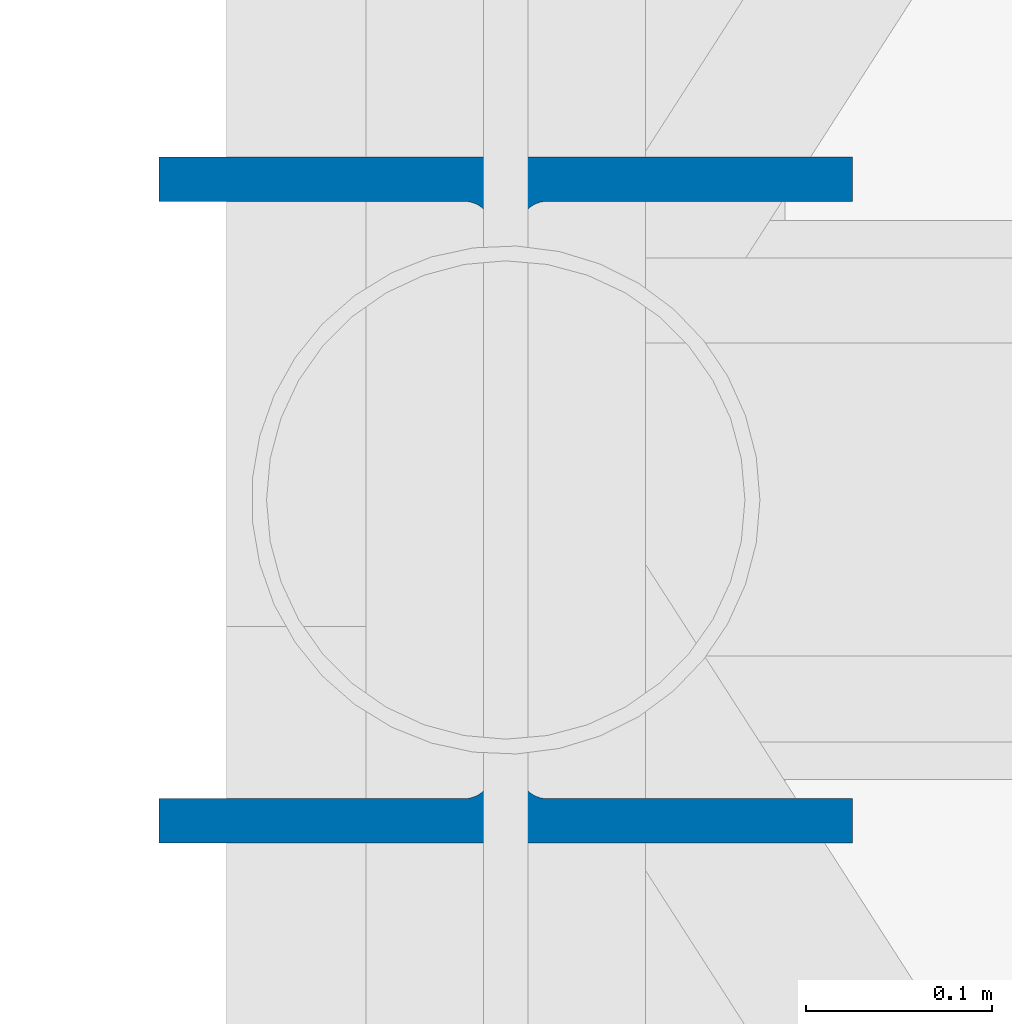
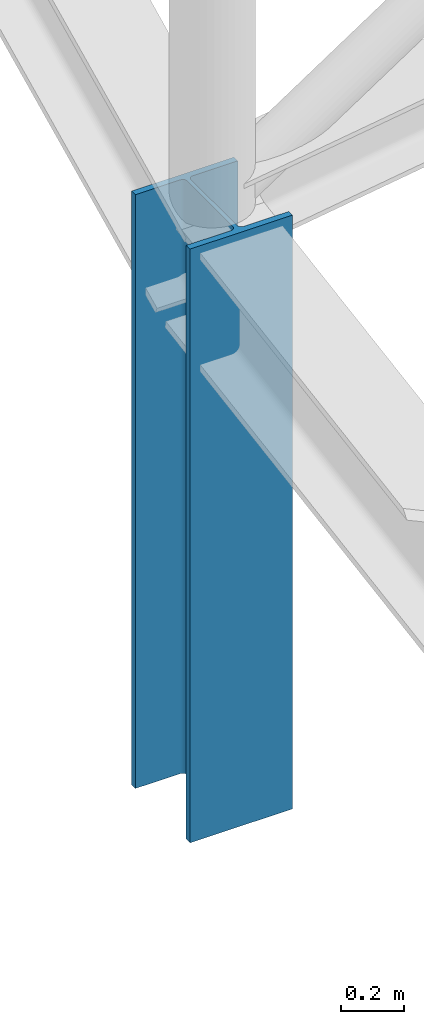
# One storey, part 9 of 262: 1 column.
"""IFC4 building model written with IfcOpenShell, lengths in metres."""

import ifcopenshell
import ifcopenshell.guid

model = None  # the IFC model being written
_history = None  # IfcOwnerHistory: only IFC2X3 demands one
_inside = {}  # id of a spatial element -> (the spatial element, [elements in it])
_under = {}  # id of a project, library or spatial element -> (it, [spatial elements below it])
_declared = {}  # id of a project -> (the project, [libraries it declares])
_typed = {}  # id of a type object -> (the type object, [elements of that type])
_made_of = {}  # id of a material, layer set ... -> (it, [elements and type objects made of it])


def new_model(schema):
    """Start an empty IFC model of exactly this schema.

    Asked for "IFC4X3", IfcOpenShell would pick the latest addendum, in which some entities
    have other attributes; the version numbers below select the first issue.
    IFC2X3 requires an IfcOwnerHistory on every rooted entity: one is made here for all.
    """
    global model, _history
    if schema == "IFC4X3":
        model = ifcopenshell.file(schema_version=(4, 3, 0, 0))
    else:
        model = ifcopenshell.file(schema=schema)
    _inside.clear()
    _under.clear()
    _declared.clear()
    _typed.clear()
    _made_of.clear()
    _history = None
    if model.schema == "IFC2X3":
        org = make("IfcOrganization", Name="unknown")
        user = make(
            "IfcPersonAndOrganization",
            ThePerson=make("IfcPerson", FamilyName="unknown"),
            TheOrganization=org,
        )
        app = make(
            "IfcApplication",
            ApplicationDeveloper=org,
            Version="unknown",
            ApplicationFullName="unknown",
            ApplicationIdentifier="unknown",
        )
        _history = make(
            "IfcOwnerHistory",
            OwningUser=user,
            OwningApplication=app,
            ChangeAction="ADDED",
            CreationDate=0,
        )
    return model


def make(cls, **values):
    """One entity of the class cls with the attributes given. An attribute that is None is left unset."""
    return model.create_entity(
        cls, **{name: value for name, value in values.items() if value is not None}
    )


def rooted(cls, **values):
    """An entity with a GlobalId (a new one), such as an element, a storey or a relation."""
    return make(cls, GlobalId=ifcopenshell.guid.new(), OwnerHistory=_history, **values)


def si_unit(unit_type, name, prefix=None):
    """IfcSIUnit, for example si_unit("LENGTHUNIT", "METRE", prefix="MILLI")."""
    return make("IfcSIUnit", UnitType=unit_type, Prefix=prefix, Name=name)


def derived_unit(unit_type, elements):
    """IfcDerivedUnit: a product of units, each with its exponent."""
    return make(
        "IfcDerivedUnit",
        Elements=[
            make("IfcDerivedUnitElement", Unit=unit, Exponent=power)
            for unit, power in elements
        ],
        UnitType=unit_type,
    )


def assignment(units):
    """IfcUnitAssignment: the units of a project."""
    return None if units is None else make("IfcUnitAssignment", Units=units)


def point(xyz):
    """IfcCartesianPoint."""
    return None if xyz is None else make("IfcCartesianPoint", Coordinates=xyz)


def direction(xyz):
    """IfcDirection."""
    return None if xyz is None else make("IfcDirection", DirectionRatios=xyz)


def frame(location, z_axis=None, x_axis=None):
    """IfcAxis2Placement3D, a coordinate frame: its origin and axes. An axis left out is left unset."""
    return make(
        "IfcAxis2Placement3D",
        Location=point(location),
        Axis=direction(z_axis),
        RefDirection=direction(x_axis),
    )


def frame_2d(location, x_axis=None):
    """IfcAxis2Placement2D, a coordinate frame in the plane: its origin and x axis."""
    return make(
        "IfcAxis2Placement2D", Location=point(location), RefDirection=direction(x_axis)
    )


def origin():
    """The frame at (0, 0, 0) with its axes left unset."""
    return frame((0.0, 0.0, 0.0))


def origin_2d():
    """The frame at (0, 0) in the plane with its x axis left unset."""
    return frame_2d((0.0, 0.0))


def place(relative_to, where):
    """IfcLocalPlacement: puts the frame where relative to a parent placement (None: the world)."""
    return make(
        "IfcLocalPlacement", PlacementRelTo=relative_to, RelativePlacement=where
    )


def context(
    kind, dimensions, precision=None, world=None, true_north=None, identifier=None
):
    """IfcGeometricRepresentationContext, for example the 3D "Model" context."""
    return make(
        "IfcGeometricRepresentationContext",
        ContextIdentifier=identifier,
        ContextType=kind,
        CoordinateSpaceDimension=dimensions,
        Precision=precision,
        WorldCoordinateSystem=world,
        TrueNorth=true_north,
    )


def subcontext(parent, identifier, kind, view, scale=None):
    """IfcGeometricRepresentationSubContext, for example "Body" below "Model"."""
    return make(
        "IfcGeometricRepresentationSubContext",
        ContextIdentifier=identifier,
        ContextType=kind,
        ParentContext=parent,
        TargetScale=scale,
        TargetView=view,
    )


def project(units=None, contexts=None):
    """IfcProject with its units and contexts."""
    return rooted(
        "IfcProject",
        Name="project",
        RepresentationContexts=contexts,
        UnitsInContext=assignment(units),
    )


def spatial(cls, under=None, at=None, **own):
    """A site, building, storey or space (cls), placed at a placement, below another one or the project."""
    s = rooted(cls, ObjectPlacement=at, **own)
    if under is not None:
        _under.setdefault(under.id(), (under, []))[1].append(s)
    return s


def profile(cls, at=None, kind="AREA", **sizes):
    """A parametric profile (cls). Its sizes go by their IFC names, for example OverallWidth=200.0."""
    return make(cls, ProfileType=kind, Position=at, **sizes)


def i_section(**sizes):
    """IfcIShapeProfileDef."""
    return profile("IfcIShapeProfileDef", **sizes)


def extrude(swept, where, along, depth):
    """IfcExtrudedAreaSolid: the profile swept, set in the frame where, extruded along a direction by depth."""
    return make(
        "IfcExtrudedAreaSolid",
        SweptArea=swept,
        Position=where,
        ExtrudedDirection=direction(along),
        Depth=depth,
    )


def shape(context_of_items, identifier, shape_type, items):
    """IfcShapeRepresentation: the items that make up one representation, for example the "Body"."""
    return make(
        "IfcShapeRepresentation",
        ContextOfItems=context_of_items,
        RepresentationIdentifier=identifier,
        RepresentationType=shape_type,
        Items=items,
    )


def material(Name=None, Category=None):
    """IfcMaterial."""
    return make("IfcMaterial", Name=Name, Category=Category)


def material_profile(
    of_material, cross_section, Name=None, Category=None, Priority=None
):
    """IfcMaterialProfile: a cross section and its material."""
    return make(
        "IfcMaterialProfile",
        Name=Name,
        Material=of_material,
        Profile=cross_section,
        Priority=Priority,
        Category=Category,
    )


def profile_set(profiles, Name=None, composite=None):
    """IfcMaterialProfileSet."""
    return make(
        "IfcMaterialProfileSet",
        Name=Name,
        MaterialProfiles=profiles,
        CompositeProfile=composite,
    )


def made_of(thing, what):
    """Note that an element or type object is made of a material, layer set ...; save() writes the relation."""
    if what is not None:
        _made_of.setdefault(what.id(), (what, []))[1].append(thing)
    return thing


def type_object(cls, material=None, **own):
    """A type object (cls), such as IfcWallType, which elements share."""
    return made_of(rooted(cls, **own), material)


def element(
    cls,
    number,
    at=None,
    inside=None,
    cuts=None,
    type_object=None,
    material=None,
    context=None,
    identifier="Body",
    shape_type=None,
    held_by="IfcProductDefinitionShape",
    body=None,
    shapes=None,
    **own,
):
    """One element of the class cls, such as IfcWall. Its Tag is "e" and its number.

    at: its placement. inside: the storey or other place that contains it. cuts: it is an
    opening in that element (IfcRelVoidsElement). A single representation is given by context,
    identifier, shape_type and body (its items); several are given by shapes. held_by: the class
    of the entity that holds the representations. save() writes the other relations.
    """
    e = rooted(cls, Tag="e%d" % number, ObjectPlacement=at, **own)
    if body is not None:
        shapes = [shape(context, identifier, shape_type, body)]
    if shapes is not None:
        e.Representation = make(held_by, Representations=shapes)
    if inside is not None:
        _inside.setdefault(inside.id(), (inside, []))[1].append(e)
    if cuts is not None:
        rooted(
            "IfcRelVoidsElement", RelatingBuildingElement=cuts, RelatedOpeningElement=e
        )
    if type_object is not None:
        _typed.setdefault(type_object.id(), (type_object, []))[1].append(e)
    return made_of(e, material)


def aggregate(whole, parts):
    """IfcRelAggregates: a whole, such as a stair, and the parts it consists of."""
    return rooted("IfcRelAggregates", RelatingObject=whole, RelatedObjects=parts)


def save(model, path):
    """Write the relations noted so far, then the file.

    IfcRelAggregates (storeys below a building ...), IfcRelContainedInSpatialStructure (elements
    in a storey), IfcRelDefinesByType, IfcRelAssociatesMaterial and IfcRelDeclares: one each for
    every whole, place, type object, material and project.
    """
    for whole, parts in _under.values():
        aggregate(whole, parts)
    for where, things in _inside.values():
        rooted(
            "IfcRelContainedInSpatialStructure",
            RelatedElements=things,
            RelatingStructure=where,
        )
    for kind, things in _typed.values():
        rooted("IfcRelDefinesByType", RelatedObjects=things, RelatingType=kind)
    for what, things in _made_of.values():
        rooted("IfcRelAssociatesMaterial", RelatedObjects=things, RelatingMaterial=what)
    for by, libraries in _declared.values():
        rooted("IfcRelDeclares", RelatingContext=by, RelatedDefinitions=libraries)
    model.write(path)


model = new_model("IFC4")

# Units and contexts
model_context = context("Model", 3, precision=1e-05, world=origin(), true_north=direction((0.0, 1.0)))
body_context = subcontext(model_context, "Body", "Model", "MODEL_VIEW")
ifc_project = project(units=[si_unit("LENGTHUNIT", "METRE"), si_unit("AREAUNIT", "SQUARE_METRE"), si_unit("VOLUMEUNIT", "CUBIC_METRE"), si_unit("PLANEANGLEUNIT", "RADIAN"), si_unit("MASSUNIT", "GRAM", prefix="KILO"), derived_unit("THERMALTRANSMITTANCEUNIT", [(si_unit("POWERUNIT", "WATT"), 1), (si_unit("LENGTHUNIT", "METRE"), -2), (si_unit("THERMODYNAMICTEMPERATUREUNIT", "KELVIN"), -1)])], contexts=[model_context])

# Site, building, storey
site_placement = place(None, origin())
site = spatial("IfcSite", under=ifc_project, at=site_placement, CompositionType="ELEMENT")
building_placement = place(site_placement, origin())
building = spatial("IfcBuilding", under=site, at=building_placement, Name="Almenara Railside Exhibition Hall", CompositionType="ELEMENT")
storey_placement = place(building_placement, frame((0.0, 0.0, 21.699951171875)))
storey = spatial("IfcBuildingStorey", under=building, at=storey_placement, Name="RF", CompositionType="ELEMENT", Elevation=21.699951171875)

# Column
ifc_material = material(Name="Structural steel S355JR", Category="steel")
ifc_material_profile = material_profile(ifc_material, i_section(OverallWidth=0.37255859375, OverallDepth=0.3681640625, WebThickness=0.014404296875, FlangeThickness=0.023681640625, FilletRadius=0.01513671875, at=origin_2d()), Name="UC 356x368x177")
ifc_profile_set = profile_set([ifc_material_profile], Name="Structural steel S355JR")
column_type = type_object("IfcColumnType", Name="Steel Column UC 356x368x177 S355JR", PredefinedType="COLUMN", material=ifc_profile_set)
column_placement = place(storey_placement, frame((138.0, 118.0, -9.599853515625), z_axis=(0.0, 0.0, 1.0), x_axis=(1.0, 0.0, 0.0)))
element("IfcColumn", 1, at=column_placement, inside=storey, type_object=column_type, Name="V2 scroll portal column 7", PredefinedType="COLUMN", context=body_context, shape_type="SweptSolid", body=[
    extrude(i_section(OverallWidth=0.37255859375, OverallDepth=0.3681640625, WebThickness=0.014404296875, FlangeThickness=0.023681640625, FilletRadius=0.01513671875, at=origin_2d()), origin(), (0.0, 0.0, 1.0), 2.283447265625),
])

save(model, "model.ifc")
